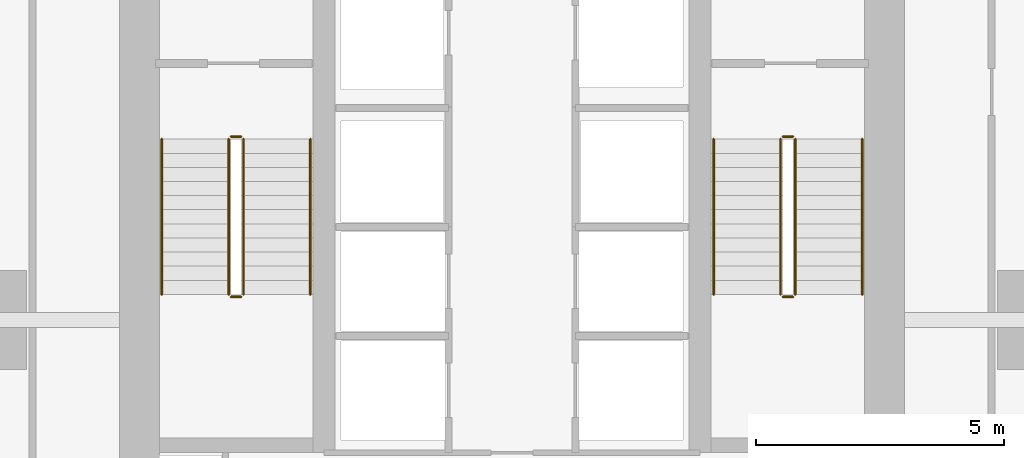
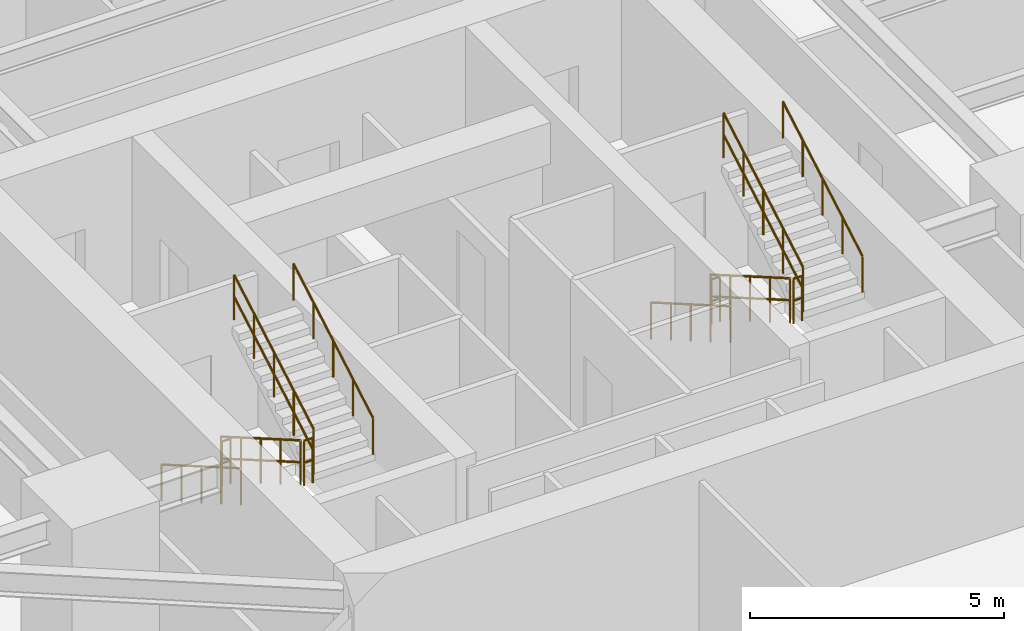
# One storey, part 26 of 27: 12 railings.
"""IFC4 building model written with IfcOpenShell, lengths in metres."""

import ifcopenshell
import ifcopenshell.guid

model = None  # the IFC model being written
_history = None  # IfcOwnerHistory: only IFC2X3 demands one
_inside = {}  # id of a spatial element -> (the spatial element, [elements in it])
_under = {}  # id of a project, library or spatial element -> (it, [spatial elements below it])
_declared = {}  # id of a project -> (the project, [libraries it declares])
_typed = {}  # id of a type object -> (the type object, [elements of that type])
_made_of = {}  # id of a material, layer set ... -> (it, [elements and type objects made of it])


def new_model(schema):
    """Start an empty IFC model of exactly this schema.

    Asked for "IFC4X3", IfcOpenShell would pick the latest addendum, in which some entities
    have other attributes; the version numbers below select the first issue.
    IFC2X3 requires an IfcOwnerHistory on every rooted entity: one is made here for all.
    """
    global model, _history
    if schema == "IFC4X3":
        model = ifcopenshell.file(schema_version=(4, 3, 0, 0))
    else:
        model = ifcopenshell.file(schema=schema)
    _inside.clear()
    _under.clear()
    _declared.clear()
    _typed.clear()
    _made_of.clear()
    _history = None
    if model.schema == "IFC2X3":
        org = make("IfcOrganization", Name="unknown")
        user = make(
            "IfcPersonAndOrganization",
            ThePerson=make("IfcPerson", FamilyName="unknown"),
            TheOrganization=org,
        )
        app = make(
            "IfcApplication",
            ApplicationDeveloper=org,
            Version="unknown",
            ApplicationFullName="unknown",
            ApplicationIdentifier="unknown",
        )
        _history = make(
            "IfcOwnerHistory",
            OwningUser=user,
            OwningApplication=app,
            ChangeAction="ADDED",
            CreationDate=0,
        )
    return model


def make(cls, **values):
    """One entity of the class cls with the attributes given. An attribute that is None is left unset."""
    return model.create_entity(
        cls, **{name: value for name, value in values.items() if value is not None}
    )


def rooted(cls, **values):
    """An entity with a GlobalId (a new one), such as an element, a storey or a relation."""
    return make(cls, GlobalId=ifcopenshell.guid.new(), OwnerHistory=_history, **values)


def si_unit(unit_type, name, prefix=None):
    """IfcSIUnit, for example si_unit("LENGTHUNIT", "METRE", prefix="MILLI")."""
    return make("IfcSIUnit", UnitType=unit_type, Prefix=prefix, Name=name)


def assignment(units):
    """IfcUnitAssignment: the units of a project."""
    return None if units is None else make("IfcUnitAssignment", Units=units)


def point(xyz):
    """IfcCartesianPoint."""
    return None if xyz is None else make("IfcCartesianPoint", Coordinates=xyz)


def direction(xyz):
    """IfcDirection."""
    return None if xyz is None else make("IfcDirection", DirectionRatios=xyz)


def frame(location, z_axis=None, x_axis=None):
    """IfcAxis2Placement3D, a coordinate frame: its origin and axes. An axis left out is left unset."""
    return make(
        "IfcAxis2Placement3D",
        Location=point(location),
        Axis=direction(z_axis),
        RefDirection=direction(x_axis),
    )


def frame_2d(location, x_axis=None):
    """IfcAxis2Placement2D, a coordinate frame in the plane: its origin and x axis."""
    return make(
        "IfcAxis2Placement2D", Location=point(location), RefDirection=direction(x_axis)
    )


def origin():
    """The frame at (0, 0, 0) with its axes left unset."""
    return frame((0.0, 0.0, 0.0))


def origin_2d():
    """The frame at (0, 0) in the plane with its x axis left unset."""
    return frame_2d((0.0, 0.0))


def place(relative_to, where):
    """IfcLocalPlacement: puts the frame where relative to a parent placement (None: the world)."""
    return make(
        "IfcLocalPlacement", PlacementRelTo=relative_to, RelativePlacement=where
    )


def context(
    kind, dimensions, precision=None, world=None, true_north=None, identifier=None
):
    """IfcGeometricRepresentationContext, for example the 3D "Model" context."""
    return make(
        "IfcGeometricRepresentationContext",
        ContextIdentifier=identifier,
        ContextType=kind,
        CoordinateSpaceDimension=dimensions,
        Precision=precision,
        WorldCoordinateSystem=world,
        TrueNorth=true_north,
    )


def subcontext(parent, identifier, kind, view, scale=None):
    """IfcGeometricRepresentationSubContext, for example "Body" below "Model"."""
    return make(
        "IfcGeometricRepresentationSubContext",
        ContextIdentifier=identifier,
        ContextType=kind,
        ParentContext=parent,
        TargetScale=scale,
        TargetView=view,
    )


def project(units=None, contexts=None):
    """IfcProject with its units and contexts."""
    return rooted(
        "IfcProject",
        Name="project",
        RepresentationContexts=contexts,
        UnitsInContext=assignment(units),
    )


def spatial(cls, under=None, at=None, **own):
    """A site, building, storey or space (cls), placed at a placement, below another one or the project."""
    s = rooted(cls, ObjectPlacement=at, **own)
    if under is not None:
        _under.setdefault(under.id(), (under, []))[1].append(s)
    return s


def profile(cls, at=None, kind="AREA", **sizes):
    """A parametric profile (cls). Its sizes go by their IFC names, for example OverallWidth=200.0."""
    return make(cls, ProfileType=kind, Position=at, **sizes)


def circle(**sizes):
    """IfcCircleProfileDef."""
    return profile("IfcCircleProfileDef", **sizes)


def extrude(swept, where, along, depth):
    """IfcExtrudedAreaSolid: the profile swept, set in the frame where, extruded along a direction by depth."""
    return make(
        "IfcExtrudedAreaSolid",
        SweptArea=swept,
        Position=where,
        ExtrudedDirection=direction(along),
        Depth=depth,
    )


def shape(context_of_items, identifier, shape_type, items):
    """IfcShapeRepresentation: the items that make up one representation, for example the "Body"."""
    return make(
        "IfcShapeRepresentation",
        ContextOfItems=context_of_items,
        RepresentationIdentifier=identifier,
        RepresentationType=shape_type,
        Items=items,
    )


def material(Name=None, Category=None):
    """IfcMaterial."""
    return make("IfcMaterial", Name=Name, Category=Category)


def layer(
    of_material, thickness, ventilated=None, Name=None, Category=None, Priority=None
):
    """IfcMaterialLayer: one layer of a wall or slab, of a material (None: an air gap)."""
    return make(
        "IfcMaterialLayer",
        Material=of_material,
        LayerThickness=thickness,
        IsVentilated=ventilated,
        Name=Name,
        Category=Category,
        Priority=Priority,
    )


def layer_set(layers, Name=None):
    """IfcMaterialLayerSet."""
    return make("IfcMaterialLayerSet", MaterialLayers=layers, LayerSetName=Name)


def made_of(thing, what):
    """Note that an element or type object is made of a material, layer set ...; save() writes the relation."""
    if what is not None:
        _made_of.setdefault(what.id(), (what, []))[1].append(thing)
    return thing


def type_object(cls, material=None, **own):
    """A type object (cls), such as IfcWallType, which elements share."""
    return made_of(rooted(cls, **own), material)


def element(
    cls,
    number,
    at=None,
    inside=None,
    cuts=None,
    type_object=None,
    material=None,
    context=None,
    identifier="Body",
    shape_type=None,
    held_by="IfcProductDefinitionShape",
    body=None,
    shapes=None,
    **own,
):
    """One element of the class cls, such as IfcWall. Its Tag is "e" and its number.

    at: its placement. inside: the storey or other place that contains it. cuts: it is an
    opening in that element (IfcRelVoidsElement). A single representation is given by context,
    identifier, shape_type and body (its items); several are given by shapes. held_by: the class
    of the entity that holds the representations. save() writes the other relations.
    """
    e = rooted(cls, Tag="e%d" % number, ObjectPlacement=at, **own)
    if body is not None:
        shapes = [shape(context, identifier, shape_type, body)]
    if shapes is not None:
        e.Representation = make(held_by, Representations=shapes)
    if inside is not None:
        _inside.setdefault(inside.id(), (inside, []))[1].append(e)
    if cuts is not None:
        rooted(
            "IfcRelVoidsElement", RelatingBuildingElement=cuts, RelatedOpeningElement=e
        )
    if type_object is not None:
        _typed.setdefault(type_object.id(), (type_object, []))[1].append(e)
    return made_of(e, material)


def aggregate(whole, parts):
    """IfcRelAggregates: a whole, such as a stair, and the parts it consists of."""
    return rooted("IfcRelAggregates", RelatingObject=whole, RelatedObjects=parts)


def save(model, path):
    """Write the relations noted so far, then the file.

    IfcRelAggregates (storeys below a building ...), IfcRelContainedInSpatialStructure (elements
    in a storey), IfcRelDefinesByType, IfcRelAssociatesMaterial and IfcRelDeclares: one each for
    every whole, place, type object, material and project.
    """
    for whole, parts in _under.values():
        aggregate(whole, parts)
    for where, things in _inside.values():
        rooted(
            "IfcRelContainedInSpatialStructure",
            RelatedElements=things,
            RelatingStructure=where,
        )
    for kind, things in _typed.values():
        rooted("IfcRelDefinesByType", RelatedObjects=things, RelatingType=kind)
    for what, things in _made_of.values():
        rooted("IfcRelAssociatesMaterial", RelatedObjects=things, RelatingMaterial=what)
    for by, libraries in _declared.values():
        rooted("IfcRelDeclares", RelatingContext=by, RelatedDefinitions=libraries)
    model.write(path)


model = new_model("IFC4")

# Units and contexts
model_context = context("Model", 3, precision=1e-05, world=origin(), true_north=direction((0.0, 1.0)))
body_context = subcontext(model_context, "Body", "Model", "MODEL_VIEW")
ifc_project = project(units=[si_unit("LENGTHUNIT", "METRE"), si_unit("AREAUNIT", "SQUARE_METRE"), si_unit("VOLUMEUNIT", "CUBIC_METRE"), si_unit("PLANEANGLEUNIT", "RADIAN"), si_unit("MASSUNIT", "GRAM", prefix="KILO")], contexts=[model_context])

# Site, building, storey
site_placement = place(None, origin())
site = spatial("IfcSite", under=ifc_project, at=site_placement, CompositionType="ELEMENT")
building_placement = place(site_placement, origin())
building = spatial("IfcBuilding", under=site, at=building_placement, Name="Krantzveldt Concourse Tower", CompositionType="ELEMENT")
storey_placement = place(building_placement, frame((0.0, 0.0, 121.64990234375)))
storey = spatial("IfcBuildingStorey", under=building, at=storey_placement, Name="L29", CompositionType="ELEMENT", Elevation=121.64990234375)

# Railings
ifc_material = material(Name="Stainless steel 316L", Category="steel")
ifc_layer_1 = layer(ifc_material, 0.06005859375, Name="Stainless steel 316L", Category="steel")
ifc_layer_set_1 = layer_set([ifc_layer_1], Name="Stainless steel 316L (RL-GUARD-1120)")
railing_type_1 = type_object("IfcRailingType", Name="RL-GUARD-1120", PredefinedType="GUARDRAIL", material=ifc_layer_set_1)
railing_1_placement = place(storey_placement, frame((30.280029296875, 19.550048828125, 0.164794921875)))
element("IfcRailing", 1, at=railing_1_placement, inside=storey, type_object=railing_type_1, Name="L29 ST-1 stair guard 1", PredefinedType="GUARDRAIL", context=body_context, shape_type="SweptSolid", body=[
    extrude(circle(Radius=0.02392578125, at=origin_2d()), frame((0.0, 0.0, 1.076171875), z_axis=(0.0, -0.865989039225, 0.500062979975), x_axis=(1.0, 0.0, 0.0)), (0.0, 0.0, 1.0), 3.6201171875),
    extrude(circle(Radius=0.02392578125, at=origin_2d()), frame((0.0, 0.0, 0.550048828125), z_axis=(0.0, -0.865989039225, 0.500062979975), x_axis=(1.0, 0.0, 0.0)), (0.0, 0.0, 1.0), 3.6201171875),
    extrude(circle(Radius=0.02099609375, at=origin_2d()), origin(), (0.0, 0.0, 1.0), 1.052001953125),
    extrude(circle(Radius=0.02099609375, at=origin_2d()), frame((0.0, -0.78369140625, 0.45263671875)), (0.0, 0.0, 1.0), 1.052001953125),
    extrude(circle(Radius=0.02099609375, at=origin_2d()), frame((0.0, -1.5673828125, 0.9052734375)), (0.0, 0.0, 1.0), 1.052001953125),
    extrude(circle(Radius=0.02099609375, at=origin_2d()), frame((0.0, -2.351318359375, 1.357666015625)), (0.0, 0.0, 1.0), 1.052001953125),
    extrude(circle(Radius=0.02099609375, at=origin_2d()), frame((0.0, -3.135009765625, 1.810302734375)), (0.0, 0.0, 1.0), 1.052001953125),
])
railing_2_placement = place(storey_placement, frame((30.330078125, 16.364990234375, 1.97509765625)))
element("IfcRailing", 2, at=railing_2_placement, inside=storey, type_object=railing_type_1, Name="L29 ST-1 stair guard 2", PredefinedType="GUARDRAIL", context=body_context, shape_type="SweptSolid", body=[
    extrude(circle(Radius=0.02392578125, at=origin_2d()), frame((0.0, 0.0, 1.076171875), z_axis=(1.0, 0.0, 0.0), x_axis=(0.0, 1.0, 0.0)), (0.0, 0.0, 1.0), 0.199951171875),
    extrude(circle(Radius=0.02392578125, at=origin_2d()), frame((0.0, 0.0, 0.550048828125), z_axis=(1.0, 0.0, 0.0), x_axis=(0.0, 1.0, 0.0)), (0.0, 0.0, 1.0), 0.199951171875),
    extrude(circle(Radius=0.02099609375, at=origin_2d()), origin(), (0.0, 0.0, 1.0), 1.052001953125),
    extrude(circle(Radius=0.02099609375, at=origin_2d()), frame((0.199951171875, 0.0, 0.0)), (0.0, 0.0, 1.0), 1.052001953125),
])
railing_3_placement = place(storey_placement, frame((30.580078125, 16.4150390625, 2.1396484375)))
element("IfcRailing", 3, at=railing_3_placement, inside=storey, type_object=railing_type_1, Name="L29 ST-1 stair guard 3", PredefinedType="GUARDRAIL", context=body_context, shape_type="SweptSolid", body=[
    extrude(circle(Radius=0.02392578125, at=origin_2d()), frame((0.0, 0.0, 1.076171875), z_axis=(0.0, 0.865959834175, 0.500113552702), x_axis=(-1.0, 0.0, 0.0)), (0.0, 0.0, 1.0), 3.620361328125),
    extrude(circle(Radius=0.02392578125, at=origin_2d()), frame((0.0, 0.0, 0.550048828125), z_axis=(0.0, 0.865959834175, 0.500113552702), x_axis=(-1.0, 0.0, 0.0)), (0.0, 0.0, 1.0), 3.620361328125),
    extrude(circle(Radius=0.02099609375, at=origin_2d()), origin(), (0.0, 0.0, 1.0), 1.052001953125),
    extrude(circle(Radius=0.02099609375, at=origin_2d()), frame((0.0, 0.78369140625, 0.45263671875)), (0.0, 0.0, 1.0), 1.052001953125),
    extrude(circle(Radius=0.02099609375, at=origin_2d()), frame((0.0, 1.5673828125, 0.9052734375)), (0.0, 0.0, 1.0), 1.052001953125),
    extrude(circle(Radius=0.02099609375, at=origin_2d()), frame((0.0, 2.351318359375, 1.35791015625)), (0.0, 0.0, 1.0), 1.052001953125),
    extrude(circle(Radius=0.02099609375, at=origin_2d()), frame((0.0, 3.135009765625, 1.810546875)), (0.0, 0.0, 1.0), 1.052001953125),
])
railing_4_placement = place(storey_placement, frame((30.330078125, 19.60009765625, 0.0)))
element("IfcRailing", 4, at=railing_4_placement, inside=storey, type_object=railing_type_1, Name="L29 ST-1 stair guard 4", PredefinedType="GUARDRAIL", context=body_context, shape_type="SweptSolid", body=[
    extrude(circle(Radius=0.02392578125, at=origin_2d()), frame((0.0, 0.0, 1.076171875), z_axis=(1.0, 0.0, 0.0), x_axis=(0.0, 1.0, 0.0)), (0.0, 0.0, 1.0), 0.199951171875),
    extrude(circle(Radius=0.02392578125, at=origin_2d()), frame((0.0, 0.0, 0.550048828125), z_axis=(1.0, 0.0, 0.0), x_axis=(0.0, 1.0, 0.0)), (0.0, 0.0, 1.0), 0.199951171875),
    extrude(circle(Radius=0.02099609375, at=origin_2d()), origin(), (0.0, 0.0, 1.0), 1.052001953125),
    extrude(circle(Radius=0.02099609375, at=origin_2d()), frame((0.199951171875, 0.0, 0.0)), (0.0, 0.0, 1.0), 1.052001953125),
])
railing_5_placement = place(storey_placement, frame((41.419921875, 19.550048828125, 0.164794921875)))
element("IfcRailing", 5, at=railing_5_placement, inside=storey, type_object=railing_type_1, Name="L29 ST-2 stair guard 1", PredefinedType="GUARDRAIL", context=body_context, shape_type="SweptSolid", body=[
    extrude(circle(Radius=0.02392578125, at=origin_2d()), frame((0.0, 0.0, 1.076171875), z_axis=(0.0, -0.865989039225, 0.500062979975), x_axis=(1.0, 0.0, 0.0)), (0.0, 0.0, 1.0), 3.6201171875),
    extrude(circle(Radius=0.02392578125, at=origin_2d()), frame((0.0, 0.0, 0.550048828125), z_axis=(0.0, -0.865989039225, 0.500062979975), x_axis=(1.0, 0.0, 0.0)), (0.0, 0.0, 1.0), 3.6201171875),
    extrude(circle(Radius=0.02099609375, at=origin_2d()), origin(), (0.0, 0.0, 1.0), 1.052001953125),
    extrude(circle(Radius=0.02099609375, at=origin_2d()), frame((0.0, -0.78369140625, 0.45263671875)), (0.0, 0.0, 1.0), 1.052001953125),
    extrude(circle(Radius=0.02099609375, at=origin_2d()), frame((0.0, -1.5673828125, 0.9052734375)), (0.0, 0.0, 1.0), 1.052001953125),
    extrude(circle(Radius=0.02099609375, at=origin_2d()), frame((0.0, -2.351318359375, 1.357666015625)), (0.0, 0.0, 1.0), 1.052001953125),
    extrude(circle(Radius=0.02099609375, at=origin_2d()), frame((0.0, -3.135009765625, 1.810302734375)), (0.0, 0.0, 1.0), 1.052001953125),
])
railing_6_placement = place(storey_placement, frame((41.469970703125, 16.364990234375, 1.97509765625)))
element("IfcRailing", 6, at=railing_6_placement, inside=storey, type_object=railing_type_1, Name="L29 ST-2 stair guard 2", PredefinedType="GUARDRAIL", context=body_context, shape_type="SweptSolid", body=[
    extrude(circle(Radius=0.02392578125, at=origin_2d()), frame((0.0, 0.0, 1.076171875), z_axis=(1.0, 0.0, 0.0), x_axis=(0.0, 1.0, 0.0)), (0.0, 0.0, 1.0), 0.199951171875),
    extrude(circle(Radius=0.02392578125, at=origin_2d()), frame((0.0, 0.0, 0.550048828125), z_axis=(1.0, 0.0, 0.0), x_axis=(0.0, 1.0, 0.0)), (0.0, 0.0, 1.0), 0.199951171875),
    extrude(circle(Radius=0.02099609375, at=origin_2d()), origin(), (0.0, 0.0, 1.0), 1.052001953125),
    extrude(circle(Radius=0.02099609375, at=origin_2d()), frame((0.199951171875, 0.0, 0.0)), (0.0, 0.0, 1.0), 1.052001953125),
])
railing_7_placement = place(storey_placement, frame((41.719970703125, 16.4150390625, 2.1396484375)))
element("IfcRailing", 7, at=railing_7_placement, inside=storey, type_object=railing_type_1, Name="L29 ST-2 stair guard 3", PredefinedType="GUARDRAIL", context=body_context, shape_type="SweptSolid", body=[
    extrude(circle(Radius=0.02392578125, at=origin_2d()), frame((0.0, 0.0, 1.076171875), z_axis=(0.0, 0.865959834175, 0.500113552702), x_axis=(-1.0, 0.0, 0.0)), (0.0, 0.0, 1.0), 3.620361328125),
    extrude(circle(Radius=0.02392578125, at=origin_2d()), frame((0.0, 0.0, 0.550048828125), z_axis=(0.0, 0.865959834175, 0.500113552702), x_axis=(-1.0, 0.0, 0.0)), (0.0, 0.0, 1.0), 3.620361328125),
    extrude(circle(Radius=0.02099609375, at=origin_2d()), origin(), (0.0, 0.0, 1.0), 1.052001953125),
    extrude(circle(Radius=0.02099609375, at=origin_2d()), frame((0.0, 0.78369140625, 0.45263671875)), (0.0, 0.0, 1.0), 1.052001953125),
    extrude(circle(Radius=0.02099609375, at=origin_2d()), frame((0.0, 1.5673828125, 0.9052734375)), (0.0, 0.0, 1.0), 1.052001953125),
    extrude(circle(Radius=0.02099609375, at=origin_2d()), frame((0.0, 2.351318359375, 1.35791015625)), (0.0, 0.0, 1.0), 1.052001953125),
    extrude(circle(Radius=0.02099609375, at=origin_2d()), frame((0.0, 3.135009765625, 1.810546875)), (0.0, 0.0, 1.0), 1.052001953125),
])
railing_8_placement = place(storey_placement, frame((41.469970703125, 19.60009765625, 0.0)))
element("IfcRailing", 8, at=railing_8_placement, inside=storey, type_object=railing_type_1, Name="L29 ST-2 stair guard 4", PredefinedType="GUARDRAIL", context=body_context, shape_type="SweptSolid", body=[
    extrude(circle(Radius=0.02392578125, at=origin_2d()), frame((0.0, 0.0, 1.076171875), z_axis=(1.0, 0.0, 0.0), x_axis=(0.0, 1.0, 0.0)), (0.0, 0.0, 1.0), 0.199951171875),
    extrude(circle(Radius=0.02392578125, at=origin_2d()), frame((0.0, 0.0, 0.550048828125), z_axis=(1.0, 0.0, 0.0), x_axis=(0.0, 1.0, 0.0)), (0.0, 0.0, 1.0), 0.199951171875),
    extrude(circle(Radius=0.02099609375, at=origin_2d()), origin(), (0.0, 0.0, 1.0), 1.052001953125),
    extrude(circle(Radius=0.02099609375, at=origin_2d()), frame((0.199951171875, 0.0, 0.0)), (0.0, 0.0, 1.0), 1.052001953125),
])
ifc_layer_2 = layer(ifc_material, 0.050048828125, Name="Stainless steel 316L", Category="steel")
ifc_layer_set_2 = layer_set([ifc_layer_2], Name="Stainless steel 316L (RL-HANDRAIL-920)")
railing_type_2 = type_object("IfcRailingType", Name="RL-HANDRAIL-920", PredefinedType="HANDRAIL", material=ifc_layer_set_2)
railing_9_placement = place(storey_placement, frame((28.929931640625, 19.550048828125, 0.164794921875)))
element("IfcRailing", 9, at=railing_9_placement, inside=storey, type_object=railing_type_2, Name="L29 ST-1 stair handrail 1", PredefinedType="HANDRAIL", context=body_context, shape_type="SweptSolid", body=[
    extrude(circle(Radius=0.02392578125, at=origin_2d()), frame((0.0, 0.0, 0.8759765625), z_axis=(0.0, -0.865989039225, 0.500062979975), x_axis=(1.0, 0.0, 0.0)), (0.0, 0.0, 1.0), 3.6201171875),
    extrude(circle(Radius=0.02099609375, at=origin_2d()), origin(), (0.0, 0.0, 1.0), 0.851806640625),
    extrude(circle(Radius=0.02099609375, at=origin_2d()), frame((0.0, -0.78369140625, 0.45263671875)), (0.0, 0.0, 1.0), 0.851806640625),
    extrude(circle(Radius=0.02099609375, at=origin_2d()), frame((0.0, -1.5673828125, 0.9052734375)), (0.0, 0.0, 1.0), 0.851806640625),
    extrude(circle(Radius=0.02099609375, at=origin_2d()), frame((0.0, -2.351318359375, 1.357666015625)), (0.0, 0.0, 1.0), 0.851806640625),
    extrude(circle(Radius=0.02099609375, at=origin_2d()), frame((0.0, -3.135009765625, 1.810302734375)), (0.0, 0.0, 1.0), 0.851806640625),
])
railing_10_placement = place(storey_placement, frame((31.929931640625, 16.4150390625, 2.1396484375)))
element("IfcRailing", 10, at=railing_10_placement, inside=storey, type_object=railing_type_2, Name="L29 ST-1 stair handrail 2", PredefinedType="HANDRAIL", context=body_context, shape_type="SweptSolid", body=[
    extrude(circle(Radius=0.02392578125, at=origin_2d()), frame((0.0, 0.0, 0.8759765625), z_axis=(0.0, 0.865959834175, 0.500113552702), x_axis=(-1.0, 0.0, 0.0)), (0.0, 0.0, 1.0), 3.620361328125),
    extrude(circle(Radius=0.02099609375, at=origin_2d()), origin(), (0.0, 0.0, 1.0), 0.851806640625),
    extrude(circle(Radius=0.02099609375, at=origin_2d()), frame((0.0, 0.78369140625, 0.45263671875)), (0.0, 0.0, 1.0), 0.851806640625),
    extrude(circle(Radius=0.02099609375, at=origin_2d()), frame((0.0, 1.5673828125, 0.9052734375)), (0.0, 0.0, 1.0), 0.851806640625),
    extrude(circle(Radius=0.02099609375, at=origin_2d()), frame((0.0, 2.351318359375, 1.35791015625)), (0.0, 0.0, 1.0), 0.851806640625),
    extrude(circle(Radius=0.02099609375, at=origin_2d()), frame((0.0, 3.135009765625, 1.810546875)), (0.0, 0.0, 1.0), 0.851806640625),
])
railing_11_placement = place(storey_placement, frame((40.070068359375, 19.550048828125, 0.164794921875)))
element("IfcRailing", 11, at=railing_11_placement, inside=storey, type_object=railing_type_2, Name="L29 ST-2 stair handrail 1", PredefinedType="HANDRAIL", context=body_context, shape_type="SweptSolid", body=[
    extrude(circle(Radius=0.02392578125, at=origin_2d()), frame((0.0, 0.0, 0.8759765625), z_axis=(0.0, -0.865989039225, 0.500062979975), x_axis=(1.0, 0.0, 0.0)), (0.0, 0.0, 1.0), 3.6201171875),
    extrude(circle(Radius=0.02099609375, at=origin_2d()), origin(), (0.0, 0.0, 1.0), 0.851806640625),
    extrude(circle(Radius=0.02099609375, at=origin_2d()), frame((0.0, -0.78369140625, 0.45263671875)), (0.0, 0.0, 1.0), 0.851806640625),
    extrude(circle(Radius=0.02099609375, at=origin_2d()), frame((0.0, -1.5673828125, 0.9052734375)), (0.0, 0.0, 1.0), 0.851806640625),
    extrude(circle(Radius=0.02099609375, at=origin_2d()), frame((0.0, -2.351318359375, 1.357666015625)), (0.0, 0.0, 1.0), 0.851806640625),
    extrude(circle(Radius=0.02099609375, at=origin_2d()), frame((0.0, -3.135009765625, 1.810302734375)), (0.0, 0.0, 1.0), 0.851806640625),
])
railing_12_placement = place(storey_placement, frame((43.070068359375, 16.4150390625, 2.1396484375)))
element("IfcRailing", 12, at=railing_12_placement, inside=storey, type_object=railing_type_2, Name="L29 ST-2 stair handrail 2", PredefinedType="HANDRAIL", context=body_context, shape_type="SweptSolid", body=[
    extrude(circle(Radius=0.02392578125, at=origin_2d()), frame((0.0, 0.0, 0.8759765625), z_axis=(0.0, 0.865959834175, 0.500113552702), x_axis=(-1.0, 0.0, 0.0)), (0.0, 0.0, 1.0), 3.620361328125),
    extrude(circle(Radius=0.02099609375, at=origin_2d()), origin(), (0.0, 0.0, 1.0), 0.851806640625),
    extrude(circle(Radius=0.02099609375, at=origin_2d()), frame((0.0, 0.78369140625, 0.45263671875)), (0.0, 0.0, 1.0), 0.851806640625),
    extrude(circle(Radius=0.02099609375, at=origin_2d()), frame((0.0, 1.5673828125, 0.9052734375)), (0.0, 0.0, 1.0), 0.851806640625),
    extrude(circle(Radius=0.02099609375, at=origin_2d()), frame((0.0, 2.351318359375, 1.35791015625)), (0.0, 0.0, 1.0), 0.851806640625),
    extrude(circle(Radius=0.02099609375, at=origin_2d()), frame((0.0, 3.135009765625, 1.810546875)), (0.0, 0.0, 1.0), 0.851806640625),
])

save(model, "model.ifc")
